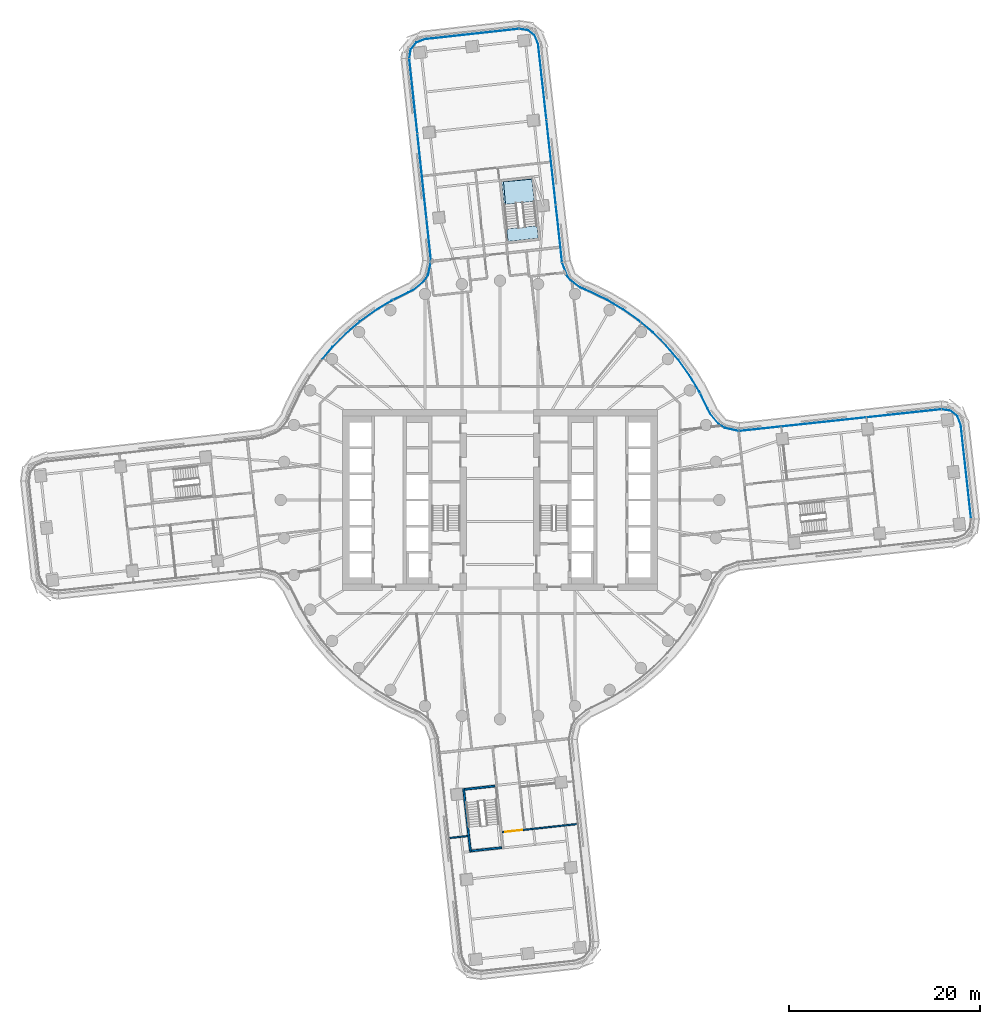
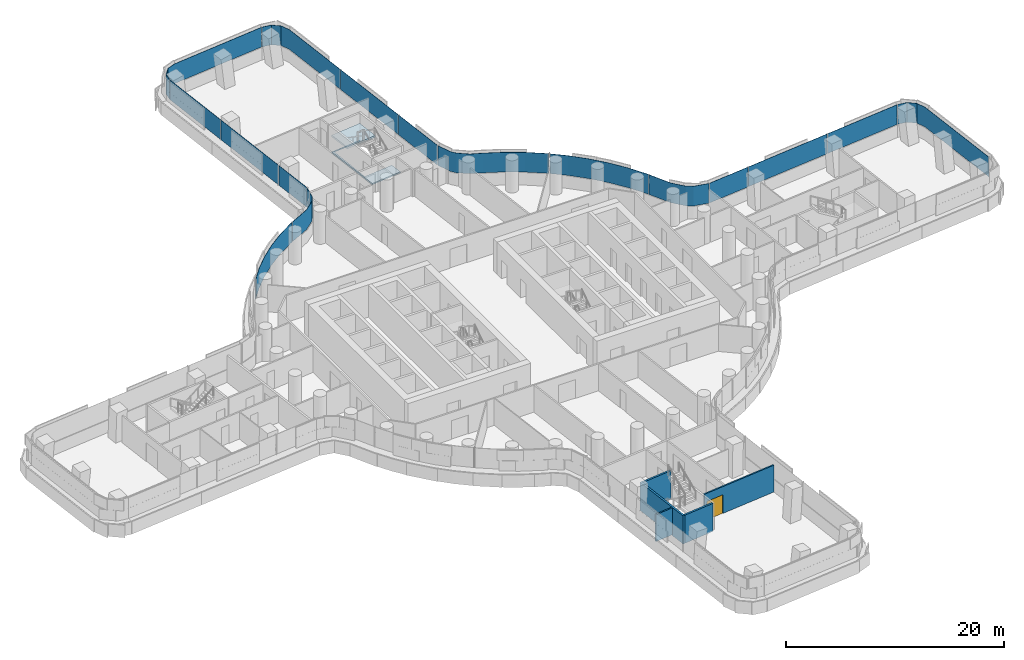
# One storey, part 18 of 31: 16 plates, 5 walls, 2 slabs, 1 door, 1 opening, 8 elements without a shape of their own.
"""IFC4 building model written with IfcOpenShell, lengths in metres."""

from ifc_helpers import new_model, si_unit, direction, frame, frame_2d, origin, place, context, subcontext, project, spatial, polyline, rectangle, outline, extrude, material, layer, layer_set, type_object, element, fill, aggregate, save


model = new_model("IFC4")

# Units and contexts
model_context = context("Model", 3, precision=1e-05, world=origin(), true_north=direction((0.0, 1.0)))
body_context = subcontext(model_context, "Body", "Model", "MODEL_VIEW")
ifc_project = project(units=[si_unit("LENGTHUNIT", "METRE"), si_unit("AREAUNIT", "SQUARE_METRE"), si_unit("VOLUMEUNIT", "CUBIC_METRE"), si_unit("PLANEANGLEUNIT", "RADIAN"), si_unit("MASSUNIT", "GRAM", prefix="KILO")], contexts=[model_context])

# Site, building, storey
site_placement = place(None, origin())
site = spatial("IfcSite", under=ifc_project, at=site_placement, CompositionType="ELEMENT")
building_placement = place(site_placement, origin())
building = spatial("IfcBuilding", under=site, at=building_placement, Name="Tamarind Cross Interchange Tower", CompositionType="ELEMENT")
storey_placement = place(building_placement, frame((0.0, 0.0, 56.5)))
storey = spatial("IfcBuildingStorey", under=building, at=storey_placement, Name="L12", CompositionType="ELEMENT", Elevation=56.5)

# Slab
ifc_material_1 = material(Name="Concrete C35", Category="concrete")
ifc_layer_1 = layer(ifc_material_1, 0.139892578125)
ifc_layer_set_1 = layer_set([ifc_layer_1], Name="Concrete C35")
slab_type_1 = type_object("IfcSlabType", Name="Composite slab 140 Concrete C35", PredefinedType="FLOOR", material=ifc_layer_set_1)
slab_1_placement = place(storey_placement, frame((0.0, 0.0, -0.139892578125)))
element("IfcSlab", 1, at=slab_1_placement, inside=storey, type_object=slab_type_1, Name="Floor slab L12", PredefinedType="FLOOR", context=body_context, shape_type="SweptSolid", body=[
    extrude(outline(polyline([(0.845703125, 27.123046875), (4.026611328125, 27.472412109375), (3.892333984375, 28.694091796875), (3.88330078125, 28.776611328125), (0.817138671875, 28.439697265625), (0.365234375, 33.380615234375), (3.34765625, 33.6533203125), (3.338623046875, 33.734619140625), (0.15771484375, 33.38525390625), (0.845703125, 27.123046875)])), origin(), (0.0, 0.0, 1.0), 0.139892578125),
])

# Stair, slab
ifc_material_2 = material(Name="Exit stair")
stair_type = type_object("IfcStairType", Name="Exit stair", PredefinedType="HALF_TURN_STAIR", material=ifc_material_2)
stair_placement = place(storey_placement, origin())
stair = element("IfcStair", 2, at=stair_placement, inside=storey, type_object=stair_type, Name="L12 exit stair ST4", PredefinedType="HALF_TURN_STAIR")
ifc_material_3 = material(Name="Concrete C40", Category="concrete")
ifc_layer_2 = layer(ifc_material_3, 0.199951171875)
ifc_layer_set_2 = layer_set([ifc_layer_2], Name="Concrete C40")
slab_type_2 = type_object("IfcSlabType", Name="Stair landing", PredefinedType="LANDING", material=ifc_layer_set_2)
slab_2_placement = place(storey_placement, frame((0.0, 0.0, 1.675048828125)))
slab_2 = element("IfcSlab", 3, at=slab_2_placement, type_object=slab_type_2, Name="ST4 landing 1", PredefinedType="LANDING", context=body_context, shape_type="SweptSolid", body=[
    extrude(outline(polyline([(3.60205078125, 31.337158203125), (3.338623046875, 33.734619140625), (0.15771484375, 33.38525390625), (0.421142578125, 30.98779296875), (3.60205078125, 31.337158203125)])), origin(), (0.0, 0.0, 1.0), 0.199951171875),
])
aggregate(stair, [slab_2])

# Curtain wall, plate
ifc_material_4 = material(Name="Aluminium 6063-T6", Category="aluminium")
ifc_layer_3 = layer(ifc_material_4, 0.159912109375)
ifc_layer_set_3 = layer_set([ifc_layer_3], Name="Aluminium 6063-T6")
curtain_wall_type = type_object("IfcCurtainWallType", Name="Office curtain wall, 9.0 m bays", PredefinedType="NOTDEFINED", material=ifc_layer_set_3)
curtain_wall_1_placement = place(storey_placement, origin())
curtain_wall_1 = element("IfcCurtainWall", 4, at=curtain_wall_1_placement, inside=storey, type_object=curtain_wall_type, Name="CWS-L12-00", PredefinedType="NOTDEFINED")
ifc_material_5 = material(Name="Laminated low-e glass 8+1.52+8", Category="glass")
ifc_layer_4 = layer(ifc_material_5, 0.028076171875)
ifc_layer_set_4 = layer_set([ifc_layer_4], Name="Laminated low-e glass 8+1.52+8")
plate_type = type_object("IfcPlateType", Name="Vision panel CW1", PredefinedType="CURTAIN_PANEL", material=ifc_layer_set_4)
plate_1_placement = place(storey_placement, frame((0.0, 0.0, 1.39990234375)))
plate_1 = element("IfcPlate", 5, at=plate_1_placement, type_object=plate_type, Name="CWP-L12-00-00", PredefinedType="CURTAIN_PANEL", context=body_context, shape_type="SweptSolid", body=[
    extrude(outline(polyline([(49.40380859375, -1.963134765625), (48.321044921875, 7.89306640625), (47.9765625, 8.778076171875), (47.25830078125, 9.354248046875), (46.34716796875, 9.494140625), (46.3515625, 9.521728515625), (47.27001953125, 9.380615234375), (48.0, 8.79541015625), (48.3486328125, 7.89990234375), (49.431640625, -1.9599609375), (49.40380859375, -1.963134765625)])), origin(), (0.0, 0.0, 1.0), 2.210205078125),
])
aggregate(curtain_wall_1, [plate_1])

# Curtain wall, plates
curtain_wall_2_placement = place(storey_placement, origin())
curtain_wall_2 = element("IfcCurtainWall", 6, at=curtain_wall_2_placement, inside=storey, type_object=curtain_wall_type, Name="CWS-L12-01", PredefinedType="NOTDEFINED")
plate_2_placement = place(storey_placement, frame((0.0, 0.0, 1.39990234375)))
plate_2 = element("IfcPlate", 7, at=plate_2_placement, type_object=plate_type, Name="CWP-L12-01-00", PredefinedType="CURTAIN_PANEL", context=body_context, shape_type="SweptSolid", body=[
    extrude(outline(polyline([(46.29150390625, 9.495361328125), (38.454345703125, 8.654052734375), (38.451416015625, 8.681884765625), (46.288330078125, 9.523193359375), (46.29150390625, 9.495361328125)])), origin(), (0.0, 0.0, 1.0), 2.210205078125),
])
plate_3_placement = place(storey_placement, frame((0.0, 0.0, 1.39990234375)))
plate_3 = element("IfcPlate", 8, at=plate_3_placement, type_object=plate_type, Name="CWP-L12-01-01", PredefinedType="CURTAIN_PANEL", context=body_context, shape_type="SweptSolid", body=[
    extrude(outline(polyline([(38.394775390625, 8.647705078125), (29.503173828125, 7.693115234375), (29.5, 7.720947265625), (38.391845703125, 8.675537109375), (38.394775390625, 8.647705078125)])), origin(), (0.0, 0.0, 1.0), 2.210205078125),
])
plate_4_placement = place(storey_placement, frame((0.0, 0.0, 1.39990234375)))
plate_4 = element("IfcPlate", 9, at=plate_4_placement, type_object=plate_type, Name="CWP-L12-01-02", PredefinedType="CURTAIN_PANEL", context=body_context, shape_type="SweptSolid", body=[
    extrude(outline(polyline([(29.443359375, 7.6865234375), (25.09814453125, 7.22021484375), (25.09521484375, 7.248046875), (29.4404296875, 7.71435546875), (29.443359375, 7.6865234375)])), origin(), (0.0, 0.0, 1.0), 2.210205078125),
])
aggregate(curtain_wall_2, [plate_2, plate_3, plate_4])

curtain_wall_3_placement = place(storey_placement, origin())
curtain_wall_3 = element("IfcCurtainWall", 10, at=curtain_wall_3_placement, inside=storey, type_object=curtain_wall_type, Name="CWS-L12-02", PredefinedType="NOTDEFINED")
plate_5_placement = place(storey_placement, frame((0.0, 0.0, 1.39990234375)))
plate_5 = element("IfcPlate", 11, at=plate_5_placement, type_object=plate_type, Name="CWP-L12-02-00", PredefinedType="CURTAIN_PANEL", context=body_context, shape_type="SweptSolid", body=[
    extrude(outline(polyline([(25.034423828125, 7.2236328125), (23.597412109375, 7.54150390625), (23.002685546875, 7.90185546875), (22.041259765625, 9.045166015625), (21.74169921875, 9.637939453125), (20.989501953125, 11.159912109375), (21.0146484375, 11.17236328125), (21.766845703125, 9.650390625), (22.06494140625, 9.060791015625), (23.02099609375, 7.92333984375), (23.608154296875, 7.567626953125), (25.04052734375, 7.2509765625), (25.034423828125, 7.2236328125)])), origin(), (0.0, 0.0, 1.0), 2.210205078125),
])
plate_6_placement = place(storey_placement, frame((0.0, 0.0, 1.39990234375)))
plate_6 = element("IfcPlate", 12, at=plate_6_placement, type_object=plate_type, Name="CWP-L12-02-01", PredefinedType="CURTAIN_PANEL", context=body_context, shape_type="SweptSolid", body=[
    extrude(outline(polyline([(20.962890625, 11.2138671875), (20.866455078125, 11.40869140625), (19.85302734375, 13.093017578125), (18.7041015625, 14.687744140625), (17.42724609375, 16.18212890625), (16.031494140625, 17.56591796875), (14.759765625, 18.633544921875), (14.77783203125, 18.655029296875), (16.05029296875, 17.586669921875), (17.44775390625, 16.201171875), (18.72607421875, 14.705078125), (19.87646484375, 13.1083984375), (20.89111328125, 11.422119140625), (20.988037109375, 11.22607421875), (20.962890625, 11.2138671875)])), origin(), (0.0, 0.0, 1.0), 2.210205078125),
])
plate_7_placement = place(storey_placement, frame((0.0, 0.0, 1.39990234375)))
plate_7 = element("IfcPlate", 13, at=plate_7_placement, type_object=plate_type, Name="CWP-L12-02-02", PredefinedType="CURTAIN_PANEL", context=body_context, shape_type="SweptSolid", body=[
    extrude(outline(polyline([(14.7138671875, 18.672119140625), (14.526123046875, 18.829833984375), (12.921630859375, 19.965087890625), (11.228759765625, 20.9638671875), (9.45556640625, 21.8212890625), (8.404296875, 22.271728515625), (7.398193359375, 23.02783203125), (7.03955078125, 23.495361328125), (6.51611328125, 24.8994140625), (6.54248046875, 24.909423828125), (7.064453125, 23.509033203125), (7.41796875, 23.0478515625), (8.41845703125, 22.296142578125), (9.46728515625, 21.846923828125), (11.241943359375, 20.98876953125), (12.936767578125, 19.988525390625), (14.543212890625, 18.85205078125), (14.73193359375, 18.693603515625), (14.7138671875, 18.672119140625)])), origin(), (0.0, 0.0, 1.0), 2.210205078125),
])
aggregate(curtain_wall_3, [plate_5, plate_6, plate_7])

curtain_wall_4_placement = place(storey_placement, origin())
curtain_wall_4 = element("IfcCurtainWall", 14, at=curtain_wall_4_placement, inside=storey, type_object=curtain_wall_type, Name="CWS-L12-03", PredefinedType="NOTDEFINED")
plate_8_placement = place(storey_placement, frame((0.0, 0.0, 1.39990234375)))
plate_8 = element("IfcPlate", 15, at=plate_8_placement, type_object=plate_type, Name="CWP-L12-03-00", PredefinedType="CURTAIN_PANEL", context=body_context, shape_type="SweptSolid", body=[
    extrude(outline(polyline([(6.50146484375, 24.9609375), (5.84521484375, 30.936279296875), (5.873046875, 30.939453125), (6.529296875, 24.9638671875), (6.50146484375, 24.9609375)])), origin(), (0.0, 0.0, 1.0), 2.210205078125),
])
plate_9_placement = place(storey_placement, frame((0.0, 0.0, 1.39990234375)))
plate_9 = element("IfcPlate", 16, at=plate_9_placement, type_object=plate_type, Name="CWP-L12-03-01", PredefinedType="CURTAIN_PANEL", context=body_context, shape_type="SweptSolid", body=[
    extrude(outline(polyline([(5.838623046875, 30.99609375), (4.862548828125, 39.882080078125), (4.890380859375, 39.885009765625), (5.866455078125, 30.9990234375), (5.838623046875, 30.99609375)])), origin(), (0.0, 0.0, 1.0), 2.210205078125),
])
plate_10_placement = place(storey_placement, frame((0.0, 0.0, 1.39990234375)))
plate_10 = element("IfcPlate", 17, at=plate_10_placement, type_object=plate_type, Name="CWP-L12-03-02", PredefinedType="CURTAIN_PANEL", context=body_context, shape_type="SweptSolid", body=[
    extrude(outline(polyline([(4.85595703125, 39.941650390625), (3.992431640625, 47.801513671875), (3.64794921875, 48.686767578125), (2.929931640625, 49.2626953125), (2.01904296875, 49.402587890625), (2.023193359375, 49.43017578125), (2.94140625, 49.289306640625), (3.67138671875, 48.703857421875), (4.02001953125, 47.808349609375), (4.8837890625, 39.94482421875), (4.85595703125, 39.941650390625)])), origin(), (0.0, 0.0, 1.0), 2.210205078125),
])
aggregate(curtain_wall_4, [plate_8, plate_9, plate_10])

# Curtain wall, plate
curtain_wall_5_placement = place(storey_placement, origin())
curtain_wall_5 = element("IfcCurtainWall", 18, at=curtain_wall_5_placement, inside=storey, type_object=curtain_wall_type, Name="CWS-L12-04", PredefinedType="NOTDEFINED")
plate_11_placement = place(storey_placement, frame((0.0, 0.0, 1.39990234375)))
plate_11 = element("IfcPlate", 19, at=plate_11_placement, type_object=plate_type, Name="CWP-L12-04-00", PredefinedType="CURTAIN_PANEL", context=body_context, shape_type="SweptSolid", body=[
    extrude(outline(polyline([(1.963134765625, 49.40380859375), (-7.89306640625, 48.321044921875), (-8.778076171875, 47.9765625), (-9.354248046875, 47.25830078125), (-9.494140625, 46.34716796875), (-9.521728515625, 46.3515625), (-9.380615234375, 47.27001953125), (-8.79541015625, 48.0), (-7.89990234375, 48.3486328125), (1.9599609375, 49.431640625), (1.963134765625, 49.40380859375)])), origin(), (0.0, 0.0, 1.0), 2.210205078125),
])
aggregate(curtain_wall_5, [plate_11])

# Curtain wall, plates
curtain_wall_6_placement = place(storey_placement, origin())
curtain_wall_6 = element("IfcCurtainWall", 20, at=curtain_wall_6_placement, inside=storey, type_object=curtain_wall_type, Name="CWS-L12-05", PredefinedType="NOTDEFINED")
plate_12_placement = place(storey_placement, frame((0.0, 0.0, 1.39990234375)))
plate_12 = element("IfcPlate", 21, at=plate_12_placement, type_object=plate_type, Name="CWP-L12-05-00", PredefinedType="CURTAIN_PANEL", context=body_context, shape_type="SweptSolid", body=[
    extrude(outline(polyline([(-9.495361328125, 46.29150390625), (-8.654052734375, 38.454345703125), (-8.681884765625, 38.451416015625), (-9.523193359375, 46.288330078125), (-9.495361328125, 46.29150390625)])), origin(), (0.0, 0.0, 1.0), 2.210205078125),
])
plate_13_placement = place(storey_placement, frame((0.0, 0.0, 1.39990234375)))
plate_13 = element("IfcPlate", 22, at=plate_13_placement, type_object=plate_type, Name="CWP-L12-05-01", PredefinedType="CURTAIN_PANEL", context=body_context, shape_type="SweptSolid", body=[
    extrude(outline(polyline([(-8.647705078125, 38.394775390625), (-7.693115234375, 29.503173828125), (-7.720947265625, 29.5), (-8.675537109375, 38.391845703125), (-8.647705078125, 38.394775390625)])), origin(), (0.0, 0.0, 1.0), 2.210205078125),
])
plate_14_placement = place(storey_placement, frame((0.0, 0.0, 1.39990234375)))
plate_14 = element("IfcPlate", 23, at=plate_14_placement, type_object=plate_type, Name="CWP-L12-05-02", PredefinedType="CURTAIN_PANEL", context=body_context, shape_type="SweptSolid", body=[
    extrude(outline(polyline([(-7.6865234375, 29.443359375), (-7.22021484375, 25.09814453125), (-7.248046875, 25.09521484375), (-7.71435546875, 29.4404296875), (-7.6865234375, 29.443359375)])), origin(), (0.0, 0.0, 1.0), 2.210205078125),
])
aggregate(curtain_wall_6, [plate_12, plate_13, plate_14])

curtain_wall_7_placement = place(storey_placement, origin())
curtain_wall_7 = element("IfcCurtainWall", 24, at=curtain_wall_7_placement, inside=storey, type_object=curtain_wall_type, Name="CWS-L12-06", PredefinedType="NOTDEFINED")
plate_15_placement = place(storey_placement, frame((0.0, 0.0, 1.39990234375)))
plate_15 = element("IfcPlate", 25, at=plate_15_placement, type_object=plate_type, Name="CWP-L12-06-00", PredefinedType="CURTAIN_PANEL", context=body_context, shape_type="SweptSolid", body=[
    extrude(outline(polyline([(-7.2236328125, 25.034423828125), (-7.54150390625, 23.597412109375), (-7.90185546875, 23.002685546875), (-9.045166015625, 22.041259765625), (-9.637939453125, 21.74169921875), (-11.159912109375, 20.989501953125), (-11.17236328125, 21.0146484375), (-9.650390625, 21.766845703125), (-9.060791015625, 22.06494140625), (-7.92333984375, 23.02099609375), (-7.567626953125, 23.608154296875), (-7.2509765625, 25.04052734375), (-7.2236328125, 25.034423828125)])), origin(), (0.0, 0.0, 1.0), 2.210205078125),
])
plate_16_placement = place(storey_placement, frame((0.0, 0.0, 1.39990234375)))
plate_16 = element("IfcPlate", 26, at=plate_16_placement, type_object=plate_type, Name="CWP-L12-06-01", PredefinedType="CURTAIN_PANEL", context=body_context, shape_type="SweptSolid", body=[
    extrude(outline(polyline([(-11.2138671875, 20.962890625), (-11.40869140625, 20.866455078125), (-13.093017578125, 19.85302734375), (-14.687744140625, 18.7041015625), (-16.18212890625, 17.42724609375), (-17.56591796875, 16.031494140625), (-18.633544921875, 14.759765625), (-18.655029296875, 14.77783203125), (-17.586669921875, 16.05029296875), (-16.201171875, 17.44775390625), (-14.705078125, 18.72607421875), (-13.1083984375, 19.87646484375), (-11.422119140625, 20.89111328125), (-11.22607421875, 20.988037109375), (-11.2138671875, 20.962890625)])), origin(), (0.0, 0.0, 1.0), 2.210205078125),
])
aggregate(curtain_wall_7, [plate_15, plate_16])

# Wall
ifc_material_6 = material(Name="Gypsum board partition on steel studs", Category="steel")
ifc_layer_5 = layer(ifc_material_6, 0.14990234375)
ifc_layer_set_5 = layer_set([ifc_layer_5], Name="Gypsum board partition on steel studs")
wall_type_1 = type_object("IfcWallType", Name="Partition 150 mm EI 120", PredefinedType="PARTITIONING", material=ifc_layer_set_5)
wall_1_placement = place(storey_placement, frame((-5.26123046875, -35.454833984375, 0.0), z_axis=(0.0, 0.0, 1.0), x_axis=(0.994039707114, 0.109018625384, 0.0)))
element("IfcWall", 27, at=wall_1_placement, inside=storey, type_object=wall_type_1, Name="Partition L12-057", PredefinedType="PARTITIONING", context=body_context, shape_type="SweptSolid", body=[
    extrude(rectangle(XDim=1.858642578125, YDim=0.14990234375, at=frame_2d((0.92919921875, 0.0))), origin(), (0.0, 0.0, 1.0), 3.010009765625),
])

# Wall, opening, door
wall_2_placement = place(storey_placement, frame((0.2451171875, -34.8505859375, 0.0), z_axis=(0.0, 0.0, 1.0), x_axis=(0.994035996725, 0.109052451667, 0.0)))
wall_2 = element("IfcWall", 28, at=wall_2_placement, inside=storey, type_object=wall_type_1, Name="Partition L12-058", PredefinedType="PARTITIONING", context=body_context, shape_type="SweptSolid", body=[
    extrude(rectangle(XDim=7.889404296875, YDim=0.14990234375, at=frame_2d((3.94482421875, 0.0))), origin(), (0.0, 0.0, 1.0), 3.010009765625),
])
opening_placement = place(wall_2_placement, frame((0.300048828125, 0.0, 0.0)))
opening = element("IfcOpeningElement", 29, at=opening_placement, cuts=wall_2, Name="Opening D31", PredefinedType="OPENING", context=body_context, shape_type="SweptSolid", body=[
    extrude(rectangle(XDim=1.800048828125, YDim=2.10009765625, at=frame_2d((0.89990234375, 1.050048828125))), frame((0.0, 0.0849609375, 0.0), z_axis=(0.0, -1.0, 0.0), x_axis=(1.0, 0.0, 0.0)), (0.0, 0.0, 1.0), 0.169921875),
])
ifc_material_7 = material(Name="Fire-resisting door set")
door_type = type_object("IfcDoorType", Name="Interior door 1800 x 2100 FD60S", OperationType="DOUBLE_DOOR_SINGLE_SWING", PredefinedType="DOOR", material=ifc_material_7)
door_placement = place(opening_placement, frame((1.800048828125, 0.0, 0.0), z_axis=(0.0, 0.0, 1.0), x_axis=(-1.0, 0.0, 0.0)))
door = element("IfcDoor", 30, at=door_placement, inside=storey, type_object=door_type, Name="Door D31", OperationType="DOUBLE_DOOR_SINGLE_SWING", OverallHeight=2.10009765625, OverallWidth=1.800048828125, PredefinedType="DOOR", context=body_context, shape_type="SweptSolid", body=[
    extrude(rectangle(XDim=1.800048828125, YDim=2.10009765625, at=frame_2d((0.89990234375, 1.050048828125))), frame((0.0, 0.02490234375, 0.0), z_axis=(0.0, -1.0, 0.0), x_axis=(1.0, 0.0, 0.0)), (0.0, 0.0, 1.0), 0.050048828125),
])
fill(opening, door)

# Walls
ifc_layer_6 = layer(ifc_material_3, 0.199951171875)
ifc_layer_set_6 = layer_set([ifc_layer_6], Name="Concrete C40")
wall_type_2 = type_object("IfcWallType", Name="Stair shaft wall 200 mm Concrete C40", PredefinedType="SHEAR", material=ifc_layer_set_6)
wall_3_placement = place(storey_placement, frame((-3.8203125, -30.2666015625, -0.139892578125), z_axis=(0.0, 0.0, 1.0), x_axis=(0.10920762585, -0.994018960813, 0.0)))
element("IfcWall", 31, at=wall_3_placement, inside=storey, type_object=wall_type_2, Name="Core wall CWL-L12-ST6-C", PredefinedType="SHEAR", context=body_context, shape_type="SweptSolid", body=[
    extrude(rectangle(XDim=6.699951171875, YDim=0.199951171875, at=frame_2d((3.35009765625, 0.0))), origin(), (0.0, 0.0, 1.0), 3.14990234375),
])
wall_4_placement = place(storey_placement, frame((-3.7099609375, -30.35498046875, -0.139892578125), z_axis=(0.0, 0.0, 1.0), x_axis=(0.994022501502, 0.109175393326, 0.0)))
element("IfcWall", 32, at=wall_4_placement, inside=storey, type_object=wall_type_2, Name="Core wall CWL-L12-ST6-CE", PredefinedType="SHEAR", context=body_context, shape_type="SweptSolid", body=[
    extrude(rectangle(XDim=3.199951171875, YDim=0.199951171875, at=frame_2d((1.60009765625, 0.0))), origin(), (0.0, 0.0, 1.0), 3.14990234375),
])
wall_5_placement = place(storey_placement, frame((0.0, 0.0, -0.139892578125)))
element("IfcWall", 33, at=wall_5_placement, inside=storey, type_object=wall_type_2, Name="Core wall CWL-L12-ST6-CF", PredefinedType="SHEAR", context=body_context, shape_type="SweptSolid", body=[
    extrude(outline(polyline([(-3.010986328125, -36.716796875), (-2.9892578125, -36.91552734375), (0.191650390625, -36.566162109375), (0.169921875, -36.367431640625), (-3.010986328125, -36.716796875)])), origin(), (0.0, 0.0, 1.0), 3.14990234375),
])

save(model, "model.ifc")
